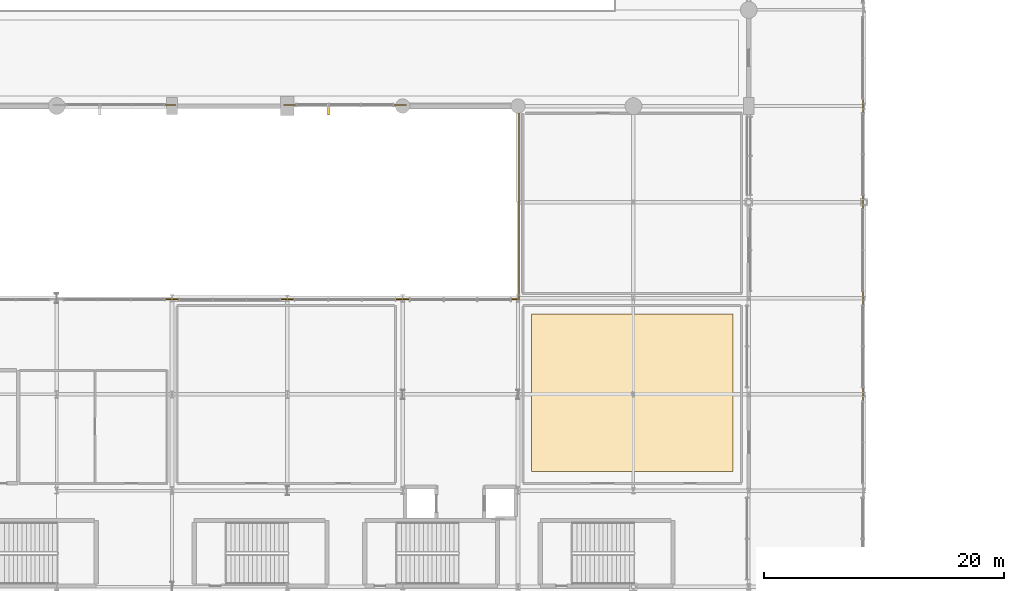
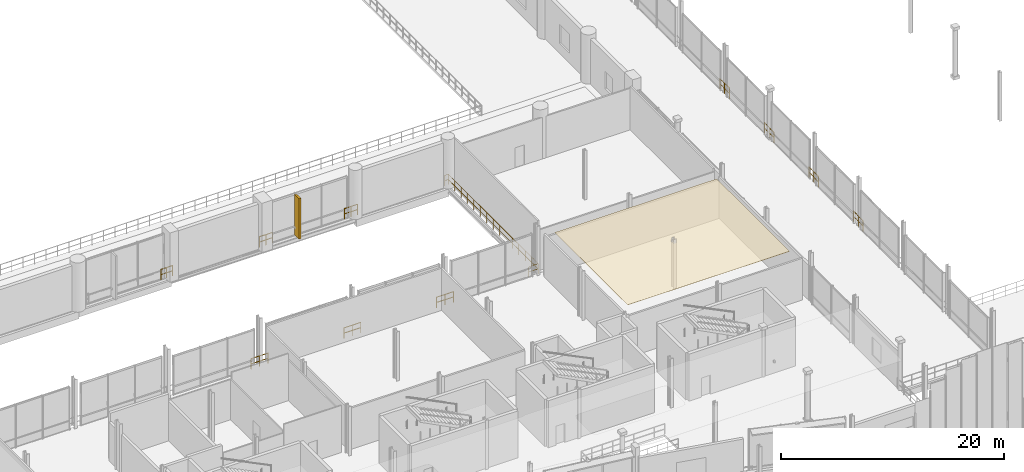
# One storey, part 113 of 129: 11 railings, 1 covering, 1 shading device.
"""IFC4 building model written with IfcOpenShell, lengths in metres."""

from ifc_helpers import new_model, si_unit, direction, frame, origin, origin_2d, place, context, subcontext, project, spatial, polyline, rectangle, circle, outline, extrude, material, layer, layer_set, type_object, element, save


model = new_model("IFC4")

# Units and contexts
model_context = context("Model", 3, precision=1e-05, world=origin(), true_north=direction((0.0, 1.0)))
body_context = subcontext(model_context, "Body", "Model", "MODEL_VIEW")
ifc_project = project(units=[si_unit("LENGTHUNIT", "METRE"), si_unit("AREAUNIT", "SQUARE_METRE"), si_unit("VOLUMEUNIT", "CUBIC_METRE"), si_unit("PLANEANGLEUNIT", "RADIAN"), si_unit("MASSUNIT", "GRAM", prefix="KILO")], contexts=[model_context])

# Site, building, storey
site_placement = place(None, origin())
site = spatial("IfcSite", under=ifc_project, at=site_placement, CompositionType="ELEMENT")
building_placement = place(site_placement, origin())
building = spatial("IfcBuilding", under=site, at=building_placement, Name="Danafjord Basin Convention Centre", CompositionType="ELEMENT")
storey_placement = place(building_placement, frame((0.0, 0.0, 6.0)))
storey = spatial("IfcBuildingStorey", under=building, at=storey_placement, Name="L01", CompositionType="ELEMENT", Elevation=6.0)

# Covering
ifc_material_1 = material(Name="Acoustic mineral-fibre tile ceiling")
ifc_layer = layer(ifc_material_1, 0.030029296875)
ifc_layer_set = layer_set([ifc_layer], Name="Acoustic mineral-fibre tile ceiling")
covering_type = type_object("IfcCoveringType", Name="COV-CLG-GYP01", PredefinedType="CEILING", material=ifc_layer_set)
covering_placement = place(storey_placement, frame((0.0, 0.0, 4.89990234375)))
element("IfcCovering", 1, at=covering_placement, inside=storey, type_object=covering_type, Name="Breakout Seminar Room M104 acoustic ceiling", PredefinedType="CEILING", context=body_context, shape_type="SweptSolid", body=[
    extrude(outline(polyline([(113.89990234375, 38.699951171875), (113.89990234375, 25.590087890625), (97.10009765625, 25.590087890625), (97.10009765625, 38.699951171875), (113.89990234375, 38.699951171875)])), origin(), (0.0, 0.0, 1.0), 0.030029296875),
])

# Railings
ifc_material_2 = material(Name="Laminated structural glass and stainless steel", Category="steel")
railing_type = type_object("IfcRailingType", Name="RL-BAL-GLS", PredefinedType="BALUSTRADE", material=ifc_material_2)
for number, where, name in (
    (2, (124.719970703125, 56.8798828125, 0.0), "L01 safety guard balustrade 37"),
    (3, (124.719970703125, 48.8798828125, 0.0), "L01 safety guard balustrade 38"),
    (4, (124.719970703125, 40.8798828125, 0.0), "L01 safety guard balustrade 39"),
    (5, (124.719970703125, 32.8798828125, 0.0), "L01 safety guard balustrade 40"),
):
    element("IfcRailing", number, at=place(storey_placement, frame(where)), inside=storey, type_object=railing_type, Name=name, PredefinedType="BALUSTRADE", context=body_context, shape_type="SweptSolid", body=[
        extrude(circle(Radius=0.02392578125, at=origin_2d()), frame((0.0, 0.0, 1.1259765625), z_axis=(0.0, -1.0, 0.0), x_axis=(1.0, 0.0, 0.0)), (0.0, 0.0, 1.0), 1.759765625),
        extrude(circle(Radius=0.02392578125, at=origin_2d()), frame((0.0, 0.0, 0.55078125), z_axis=(0.0, -1.0, 0.0), x_axis=(1.0, 0.0, 0.0)), (0.0, 0.0, 1.0), 1.759765625),
        extrude(circle(Radius=0.02099609375, at=origin_2d()), origin(), (0.0, 0.0, 1.0), 1.099853515625),
        extrude(circle(Radius=0.02099609375, at=origin_2d()), frame((0.0, -0.8798828125, 0.0)), (0.0, 0.0, 1.0), 1.099853515625),
        extrude(circle(Radius=0.02099609375, at=origin_2d()), frame((0.0, -1.759765625, 0.0)), (0.0, 0.0, 1.0), 1.099853515625),
    ])
for number, where, name in (
    (6, (66.320068359375, 39.919921875, 0.0), "L01 safety guard balustrade 93"),
    (7, (75.919921875, 39.919921875, 0.0), "L01 safety guard balustrade 94"),
    (8, (85.52001953125, 39.919921875, 0.0), "L01 safety guard balustrade 95"),
):
    element("IfcRailing", number, at=place(storey_placement, frame(where)), inside=storey, type_object=railing_type, Name=name, PredefinedType="BALUSTRADE", context=body_context, shape_type="SweptSolid", body=[
        extrude(circle(Radius=0.02392578125, at=origin_2d()), frame((0.0, 0.0, 1.1259765625), z_axis=(1.0, 0.0, 0.0), x_axis=(0.0, 1.0, 0.0)), (0.0, 0.0, 1.0), 1.760009765625),
        extrude(circle(Radius=0.02392578125, at=origin_2d()), frame((0.0, 0.0, 0.55078125), z_axis=(1.0, 0.0, 0.0), x_axis=(0.0, 1.0, 0.0)), (0.0, 0.0, 1.0), 1.760009765625),
        extrude(circle(Radius=0.02099609375, at=origin_2d()), origin(), (0.0, 0.0, 1.0), 1.099853515625),
        extrude(circle(Radius=0.02099609375, at=origin_2d()), frame((0.8798828125, 0.0, 0.0)), (0.0, 0.0, 1.0), 1.099853515625),
        extrude(circle(Radius=0.02099609375, at=origin_2d()), frame((1.760009765625, 0.0, 0.0)), (0.0, 0.0, 1.0), 1.099853515625),
    ])
railing_1_placement = place(storey_placement, frame((95.1201171875, 39.919921875, 0.0)))
element("IfcRailing", 9, at=railing_1_placement, inside=storey, type_object=railing_type, Name="L01 safety guard balustrade 96", PredefinedType="BALUSTRADE", context=body_context, shape_type="SweptSolid", body=[
    extrude(circle(Radius=0.02392578125, at=origin_2d()), frame((0.0, 0.0, 1.1259765625), z_axis=(1.0, 0.0, 0.0), x_axis=(0.0, 1.0, 0.0)), (0.0, 0.0, 1.0), 0.9599609375),
    extrude(circle(Radius=0.02392578125, at=origin_2d()), frame((0.0, 0.0, 0.55078125), z_axis=(1.0, 0.0, 0.0), x_axis=(0.0, 1.0, 0.0)), (0.0, 0.0, 1.0), 0.9599609375),
    extrude(circle(Radius=0.02392578125, at=origin_2d()), frame((0.9599609375, 0.0, 1.1259765625), z_axis=(0.0, 1.0, 0.0), x_axis=(-1.0, 0.0, 0.0)), (0.0, 0.0, 1.0), 16.16015625),
    extrude(circle(Radius=0.02392578125, at=origin_2d()), frame((0.9599609375, 0.0, 0.55078125), z_axis=(0.0, 1.0, 0.0), x_axis=(-1.0, 0.0, 0.0)), (0.0, 0.0, 1.0), 16.16015625),
    extrude(circle(Radius=0.02392578125, at=origin_2d()), frame((0.9599609375, 16.16015625, 1.1259765625), z_axis=(-1.0, 0.0, 0.0), x_axis=(0.0, -1.0, 0.0)), (0.0, 0.0, 1.0), 0.360107421875),
    extrude(circle(Radius=0.02392578125, at=origin_2d()), frame((0.9599609375, 16.16015625, 0.55078125), z_axis=(-1.0, 0.0, 0.0), x_axis=(0.0, -1.0, 0.0)), (0.0, 0.0, 1.0), 0.360107421875),
    extrude(circle(Radius=0.02099609375, at=origin_2d()), origin(), (0.0, 0.0, 1.0), 1.099853515625),
    extrude(circle(Radius=0.02099609375, at=origin_2d()), frame((0.9599609375, 0.0, 0.0)), (0.0, 0.0, 1.0), 1.099853515625),
    extrude(circle(Radius=0.02099609375, at=origin_2d()), frame((0.9599609375, 1.154296875, 0.0)), (0.0, 0.0, 1.0), 1.099853515625),
    extrude(circle(Radius=0.02099609375, at=origin_2d()), frame((0.9599609375, 2.30859375, 0.0)), (0.0, 0.0, 1.0), 1.099853515625),
    extrude(circle(Radius=0.02099609375, at=origin_2d()), frame((0.9599609375, 3.462890625, 0.0)), (0.0, 0.0, 1.0), 1.099853515625),
    extrude(circle(Radius=0.02099609375, at=origin_2d()), frame((0.9599609375, 4.6171875, 0.0)), (0.0, 0.0, 1.0), 1.099853515625),
    extrude(circle(Radius=0.02099609375, at=origin_2d()), frame((0.9599609375, 5.771484375, 0.0)), (0.0, 0.0, 1.0), 1.099853515625),
    extrude(circle(Radius=0.02099609375, at=origin_2d()), frame((0.9599609375, 6.92578125, 0.0)), (0.0, 0.0, 1.0), 1.099853515625),
    extrude(circle(Radius=0.02099609375, at=origin_2d()), frame((0.9599609375, 8.080078125, 0.0)), (0.0, 0.0, 1.0), 1.099853515625),
    extrude(circle(Radius=0.02099609375, at=origin_2d()), frame((0.9599609375, 9.234375, 0.0)), (0.0, 0.0, 1.0), 1.099853515625),
    extrude(circle(Radius=0.02099609375, at=origin_2d()), frame((0.9599609375, 10.388671875, 0.0)), (0.0, 0.0, 1.0), 1.099853515625),
    extrude(circle(Radius=0.02099609375, at=origin_2d()), frame((0.9599609375, 11.54296875, 0.0)), (0.0, 0.0, 1.0), 1.099853515625),
    extrude(circle(Radius=0.02099609375, at=origin_2d()), frame((0.9599609375, 12.697265625, 0.0)), (0.0, 0.0, 1.0), 1.099853515625),
    extrude(circle(Radius=0.02099609375, at=origin_2d()), frame((0.9599609375, 13.8515625, 0.0)), (0.0, 0.0, 1.0), 1.099853515625),
    extrude(circle(Radius=0.02099609375, at=origin_2d()), frame((0.9599609375, 15.005859375, 0.0)), (0.0, 0.0, 1.0), 1.099853515625),
    extrude(circle(Radius=0.02099609375, at=origin_2d()), frame((0.9599609375, 16.16015625, 0.0)), (0.0, 0.0, 1.0), 1.099853515625),
    extrude(circle(Radius=0.02099609375, at=origin_2d()), frame((0.599853515625, 16.16015625, 0.0)), (0.0, 0.0, 1.0), 1.099853515625),
])
railing_2_placement = place(storey_placement, frame((86.679931640625, 56.080078125, 0.0)))
element("IfcRailing", 10, at=railing_2_placement, inside=storey, type_object=railing_type, Name="L01 safety guard balustrade 97", PredefinedType="BALUSTRADE", context=body_context, shape_type="SweptSolid", body=[
    extrude(circle(Radius=0.02392578125, at=origin_2d()), frame((0.0, 0.0, 1.1259765625), z_axis=(-1.0, 0.0, 0.0), x_axis=(0.0, -1.0, 0.0)), (0.0, 0.0, 1.0), 1.35986328125),
    extrude(circle(Radius=0.02392578125, at=origin_2d()), frame((0.0, 0.0, 0.55078125), z_axis=(-1.0, 0.0, 0.0), x_axis=(0.0, -1.0, 0.0)), (0.0, 0.0, 1.0), 1.35986328125),
    extrude(circle(Radius=0.02099609375, at=origin_2d()), origin(), (0.0, 0.0, 1.0), 1.099853515625),
    extrude(circle(Radius=0.02099609375, at=origin_2d()), frame((-0.679931640625, 0.0, 0.0)), (0.0, 0.0, 1.0), 1.099853515625),
    extrude(circle(Radius=0.02099609375, at=origin_2d()), frame((-1.35986328125, 0.0, 0.0)), (0.0, 0.0, 1.0), 1.099853515625),
])
railing_3_placement = place(storey_placement, frame((77.830078125, 56.080078125, 0.0)))
element("IfcRailing", 11, at=railing_3_placement, inside=storey, type_object=railing_type, Name="L01 safety guard balustrade 98", PredefinedType="BALUSTRADE", context=body_context, shape_type="SweptSolid", body=[
    extrude(circle(Radius=0.02392578125, at=origin_2d()), frame((0.0, 0.0, 1.1259765625), z_axis=(-1.0, 0.0, 0.0), x_axis=(0.0, -1.0, 0.0)), (0.0, 0.0, 1.0), 1.31005859375),
    extrude(circle(Radius=0.02392578125, at=origin_2d()), frame((0.0, 0.0, 0.55078125), z_axis=(-1.0, 0.0, 0.0), x_axis=(0.0, -1.0, 0.0)), (0.0, 0.0, 1.0), 1.31005859375),
    extrude(circle(Radius=0.02099609375, at=origin_2d()), origin(), (0.0, 0.0, 1.0), 1.099853515625),
    extrude(circle(Radius=0.02099609375, at=origin_2d()), frame((-0.655029296875, 0.0, 0.0)), (0.0, 0.0, 1.0), 1.099853515625),
    extrude(circle(Radius=0.02099609375, at=origin_2d()), frame((-1.31005859375, 0.0, 0.0)), (0.0, 0.0, 1.0), 1.099853515625),
])
railing_4_placement = place(storey_placement, frame((67.47998046875, 56.080078125, 0.0)))
element("IfcRailing", 12, at=railing_4_placement, inside=storey, type_object=railing_type, Name="L01 safety guard balustrade 99", PredefinedType="BALUSTRADE", context=body_context, shape_type="SweptSolid", body=[
    extrude(circle(Radius=0.02392578125, at=origin_2d()), frame((0.0, 0.0, 1.1259765625), z_axis=(-1.0, 0.0, 0.0), x_axis=(0.0, -1.0, 0.0)), (0.0, 0.0, 1.0), 1.2099609375),
    extrude(circle(Radius=0.02392578125, at=origin_2d()), frame((0.0, 0.0, 0.55078125), z_axis=(-1.0, 0.0, 0.0), x_axis=(0.0, -1.0, 0.0)), (0.0, 0.0, 1.0), 1.2099609375),
    extrude(circle(Radius=0.02099609375, at=origin_2d()), origin(), (0.0, 0.0, 1.0), 1.099853515625),
    extrude(circle(Radius=0.02099609375, at=origin_2d()), frame((-0.60498046875, 0.0, 0.0)), (0.0, 0.0, 1.0), 1.099853515625),
    extrude(circle(Radius=0.02099609375, at=origin_2d()), frame((-1.2099609375, 0.0, 0.0)), (0.0, 0.0, 1.0), 1.099853515625),
])

# Shading device
ifc_material_3 = material(Name="Architectural white precast concrete C45/55", Category="concrete")
shading_device_type = type_object("IfcShadingDeviceType", Name="SHD-FIN-A", PredefinedType="USERDEFINED", material=ifc_material_3)
shading_device_placement = place(storey_placement, frame((80.2333984375, 55.679931640625, 0.080078125), z_axis=(0.0, 0.0, 1.0), x_axis=(1.0, 0.0, 0.0)))
element("IfcShadingDevice", 13, at=shading_device_placement, inside=storey, type_object=shading_device_type, Name="L01 architectural precast solar fin 8", ObjectType="FIN", PredefinedType="USERDEFINED", context=body_context, shape_type="SweptSolid", body=[
    extrude(rectangle(XDim=0.179931640625, YDim=0.840087890625, at=origin_2d()), origin(), (0.0, 0.0, 1.0), 4.419921875),
])

save(model, "model.ifc")
